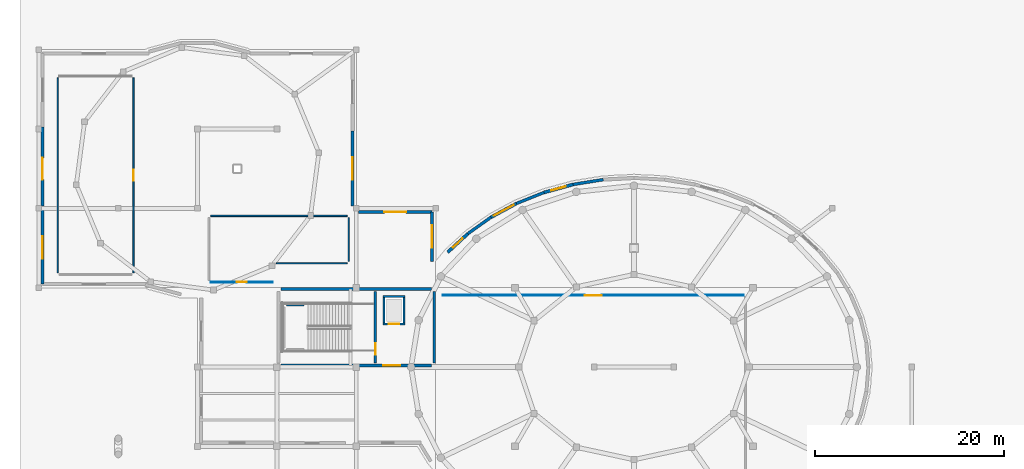
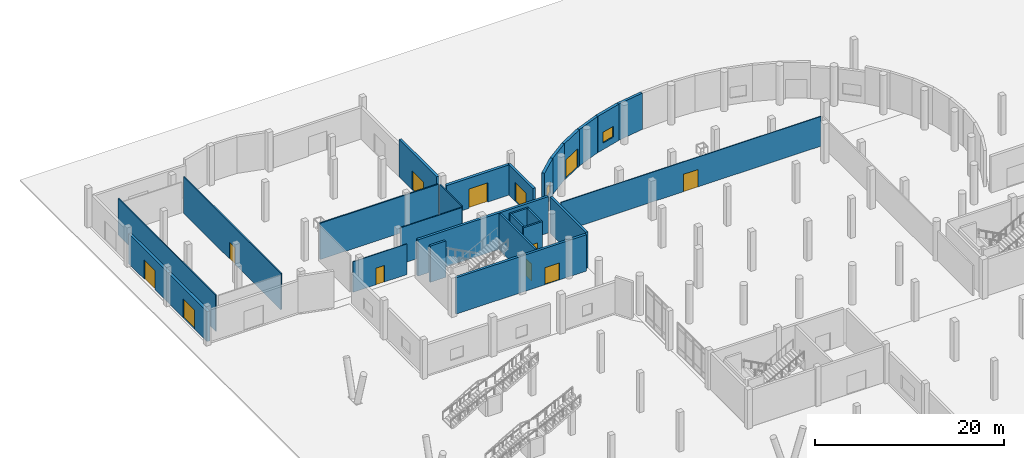
# One storey, part 48 of 64: 27 walls, 12 doors, 2 windows, 14 openings.
"""IFC4 building model written with IfcOpenShell, lengths in metres."""

from ifc_helpers import new_model, si_unit, derived_unit, direction, frame, frame_2d, origin, place, context, subcontext, project, spatial, rectangle, extrude, material, layer, layer_set, type_object, element, fill, save


model = new_model("IFC4")

# Units and contexts
model_context = context("Model", 3, precision=1e-05, world=origin(), true_north=direction((0.0, 1.0)))
body_context = subcontext(model_context, "Body", "Model", "MODEL_VIEW")
ifc_project = project(units=[si_unit("LENGTHUNIT", "METRE"), si_unit("AREAUNIT", "SQUARE_METRE"), si_unit("VOLUMEUNIT", "CUBIC_METRE"), si_unit("PLANEANGLEUNIT", "RADIAN"), si_unit("MASSUNIT", "GRAM", prefix="KILO"), derived_unit("THERMALTRANSMITTANCEUNIT", [(si_unit("POWERUNIT", "WATT"), 1), (si_unit("LENGTHUNIT", "METRE"), -2), (si_unit("THERMODYNAMICTEMPERATUREUNIT", "KELVIN"), -1)])], contexts=[model_context])

# Site, building, storey
site_placement = place(None, origin())
site = spatial("IfcSite", under=ifc_project, at=site_placement, CompositionType="ELEMENT")
building_placement = place(site_placement, origin())
building = spatial("IfcBuilding", under=site, at=building_placement, Name="Elbkamm Science Centre", CompositionType="ELEMENT")
storey_placement = place(building_placement, origin())
storey = spatial("IfcBuildingStorey", under=building, at=storey_placement, Name="L00", CompositionType="ELEMENT", Elevation=0.0)

# Wall
ifc_material_1 = material(Name="Reinforced concrete C40/50", Category="concrete")
ifc_layer_1 = layer(ifc_material_1, 0.25)
ifc_layer_set_1 = layer_set([ifc_layer_1], Name="Reinforced concrete C40/50")
wall_type_1 = type_object("IfcWallType", Name="WL-CORE-250", PredefinedType="SHEAR", material=ifc_layer_set_1)
wall_1_placement = place(storey_placement, frame((26.18994140625, 73.780029296875, 0.0), z_axis=(0.0, 0.0, 1.0), x_axis=(1.0, 0.0, 0.0)))
element("IfcWall", 1, at=wall_1_placement, inside=storey, type_object=wall_type_1, Name="L00 ST-C1 Shaft Bearing Wall N", PredefinedType="SHEAR", context=body_context, shape_type="SweptSolid", body=[
    extrude(rectangle(XDim=1.89013671875, YDim=0.25, at=frame_2d((0.945068359375, 0.0))), origin(), (0.0, 0.0, 1.0), 4.699951171875),
])

# Wall, opening, door
wall_2_placement = place(storey_placement, frame((35.6201171875, 67.6201171875, 0.0), z_axis=(0.0, 0.0, 1.0), x_axis=(0.0, 1.0, 0.0)))
wall_2 = element("IfcWall", 2, at=wall_2_placement, inside=storey, type_object=wall_type_1, Name="L00 C1 Stairwell Compartment Wall", PredefinedType="SHEAR", context=body_context, shape_type="SweptSolid", body=[
    extrude(rectangle(XDim=7.559814453125, YDim=0.25, at=frame_2d((3.77978515625, 0.0))), origin(), (0.0, 0.0, 1.0), 4.699951171875),
])
opening_1_placement = place(wall_2_placement, frame((0.89990234375, 0.0, 0.0)))
opening_1 = element("IfcOpeningElement", 3, at=opening_1_placement, cuts=wall_2, Name="Opening DC-02", PredefinedType="OPENING", context=body_context, shape_type="SweptSolid", body=[
    extrude(rectangle(XDim=1.199951171875, YDim=2.199951171875, at=frame_2d((0.60009765625, 1.10009765625))), frame((0.0, 0.136962890625, 0.0), z_axis=(0.0, -1.0, 0.0), x_axis=(1.0, 0.0, 0.0)), (0.0, 0.0, 1.0), 0.27392578125),
])
ifc_material_2 = material(Name="Fire-rated steel acoustic door", Category="steel")
ifc_layer_2 = layer(ifc_material_2, 0.050048828125)
ifc_layer_set_2 = layer_set([ifc_layer_2], Name="Fire-rated steel acoustic door")
door_type_1 = type_object("IfcDoorType", Name="DR-CORE-1200x2200", OperationType="NOTDEFINED", PredefinedType="DOOR", material=ifc_layer_set_2)
door_1_placement = place(opening_1_placement, origin())
door_1 = element("IfcDoor", 4, at=door_1_placement, inside=storey, type_object=door_type_1, Name="L00 ST-C1 Stairwell Fire Door", OperationType="SINGLE_SWING_RIGHT", OverallHeight=2.199951171875, OverallWidth=1.199951171875, PredefinedType="DOOR", context=body_context, shape_type="SweptSolid", body=[
    extrude(rectangle(XDim=1.199951171875, YDim=2.199951171875, at=frame_2d((0.60009765625, 1.10009765625))), frame((0.0, 0.02490234375, 0.0), z_axis=(0.0, -1.0, 0.0), x_axis=(1.0, 0.0, 0.0)), (0.0, 0.0, 1.0), 0.050048828125),
])
fill(opening_1, door_1)

ifc_layer_3 = layer(ifc_material_1, 0.300048828125)
ifc_layer_set_3 = layer_set([ifc_layer_3], Name="Reinforced concrete C40/50")
wall_type_2 = type_object("IfcWallType", Name="WL-CORE-300", PredefinedType="SHEAR", material=ifc_layer_set_3)
wall_3_placement = place(storey_placement, frame((25.6201171875, 67.35009765625, 0.0), z_axis=(0.0, 0.0, 1.0), x_axis=(1.0, 0.0, 0.0)))
wall_3 = element("IfcWall", 5, at=wall_3_placement, inside=storey, type_object=wall_type_2, Name="L00 Core C1 Northwest Planetarium and Exhibition Core Shear Wall S", PredefinedType="SHEAR", context=body_context, shape_type="SweptSolid", body=[
    extrude(rectangle(XDim=15.9599609375, YDim=0.300048828125, at=frame_2d((7.97998046875, 0.0))), origin(), (0.0, 0.0, 1.0), 4.699951171875),
])
opening_2_placement = place(wall_3_placement, frame((10.860107421875, 0.0, 0.0)))
opening_2 = element("IfcOpeningElement", 6, at=opening_2_placement, cuts=wall_3, Name="Opening DC-01", PredefinedType="OPENING", context=body_context, shape_type="SweptSolid", body=[
    extrude(rectangle(XDim=1.800048828125, YDim=2.199951171875, at=frame_2d((0.89990234375, 1.10009765625))), frame((0.0, 0.162109375, 0.0), z_axis=(0.0, -1.0, 0.0), x_axis=(1.0, 0.0, 0.0)), (0.0, 0.0, 1.0), 0.323974609375),
])
ifc_layer_4 = layer(ifc_material_2, 0.050048828125)
ifc_layer_set_4 = layer_set([ifc_layer_4], Name="Fire-rated steel acoustic door")
door_type_2 = type_object("IfcDoorType", Name="DR-CORE-1800x2200", OperationType="DOUBLE_DOOR_SINGLE_SWING", PredefinedType="DOOR", material=ifc_layer_set_4)
door_2_placement = place(opening_2_placement, origin())
door_2 = element("IfcDoor", 7, at=door_2_placement, inside=storey, type_object=door_type_2, Name="L00 C1 Core Lobby Fire Door", OperationType="DOUBLE_DOOR_SINGLE_SWING", OverallHeight=2.199951171875, OverallWidth=1.800048828125, PredefinedType="DOOR", context=body_context, shape_type="SweptSolid", body=[
    extrude(rectangle(XDim=1.800048828125, YDim=2.199951171875, at=frame_2d((0.89990234375, 1.10009765625))), frame((0.0, 0.02490234375, 0.0), z_axis=(0.0, -1.0, 0.0), x_axis=(1.0, 0.0, 0.0)), (0.0, 0.0, 1.0), 0.050048828125),
])
fill(opening_2, door_2)

# Walls
wall_4_placement = place(storey_placement, frame((25.6201171875, 75.449951171875, 0.0), z_axis=(0.0, 0.0, 1.0), x_axis=(1.0, 0.0, 0.0)))
element("IfcWall", 8, at=wall_4_placement, inside=storey, type_object=wall_type_2, Name="L00 Core C1 Northwest Planetarium and Exhibition Core Shear Wall N", PredefinedType="SHEAR", context=body_context, shape_type="SweptSolid", body=[
    extrude(rectangle(XDim=15.9599609375, YDim=0.300048828125, at=frame_2d((7.97998046875, 0.0))), origin(), (0.0, 0.0, 1.0), 4.699951171875),
])
wall_5_placement = place(storey_placement, frame((41.85009765625, 67.6201171875, 0.0), z_axis=(0.0, 0.0, 1.0), x_axis=(0.0, 1.0, 0.0)))
element("IfcWall", 9, at=wall_5_placement, inside=storey, type_object=wall_type_2, Name="L00 Core C1 Northwest Planetarium and Exhibition Core Shear Wall E", PredefinedType="SHEAR", context=body_context, shape_type="SweptSolid", body=[
    extrude(rectangle(XDim=7.559814453125, YDim=0.300048828125, at=frame_2d((3.77978515625, 0.0))), origin(), (0.0, 0.0, 1.0), 4.699951171875),
])

# Wall, opening, door
ifc_material_3 = material(Name="White precast concrete C40/50", Category="concrete")
ifc_layer_5 = layer(ifc_material_3, 0.31005859375)
ifc_layer_set_5 = layer_set([ifc_layer_5], Name="White precast concrete C40/50")
wall_type_3 = type_object("IfcWallType", Name="WL-EXT-310", PredefinedType="SOLIDWALL", material=ifc_layer_set_5)
wall_6_placement = place(storey_placement, frame((0.3798828125, 84.239013671875, 0.0), z_axis=(0.0, 0.0, 1.0), x_axis=(0.0, 1.0, 0.0)))
wall_6 = element("IfcWall", 10, at=wall_6_placement, inside=storey, type_object=wall_type_3, Name="L00 Exterior Wall 0099", PredefinedType="SOLIDWALL", context=body_context, shape_type="SweptSolid", body=[
    extrude(rectangle(XDim=8.385009765625, YDim=0.31005859375, at=frame_2d((4.1923828125, 0.0))), origin(), (0.0, 0.0, 1.0), 3.89990234375),
])
opening_3_placement = place(wall_6_placement, frame((2.810791015625, 0.0, 0.0)))
opening_3 = element("IfcOpeningElement", 11, at=opening_3_placement, cuts=wall_6, Name="Opening EX-03", PredefinedType="OPENING", context=body_context, shape_type="SweptSolid", body=[
    extrude(rectangle(XDim=2.300048828125, YDim=2.5, at=frame_2d((1.14990234375, 1.25))), frame((0.0, 0.1669921875, 0.0), z_axis=(0.0, -1.0, 0.0), x_axis=(1.0, 0.0, 0.0)), (0.0, 0.0, 1.0), 0.333984375),
])
ifc_material_4 = material(Name="Powder-coated aluminium and laminated glass", Category="aluminium")
ifc_layer_6 = layer(ifc_material_4, 0.050048828125)
ifc_layer_set_6 = layer_set([ifc_layer_6], Name="Powder-coated aluminium and laminated glass")
door_type_3 = type_object("IfcDoorType", Name="DR-EXIT-2300x2500", OperationType="DOUBLE_DOOR_SINGLE_SWING", PredefinedType="DOOR", material=ifc_layer_set_6)
door_3_placement = place(opening_3_placement, origin())
door_3 = element("IfcDoor", 12, at=door_3_placement, inside=storey, type_object=door_type_3, Name="Final Exit Pedestrian Door EX-03", OperationType="DOUBLE_DOOR_SINGLE_SWING", OverallHeight=2.5, OverallWidth=2.300048828125, PredefinedType="DOOR", context=body_context, shape_type="SweptSolid", body=[
    extrude(rectangle(XDim=2.300048828125, YDim=2.5, at=frame_2d((1.14990234375, 1.25))), frame((0.0, 0.02490234375, 0.0), z_axis=(0.0, -1.0, 0.0), x_axis=(1.0, 0.0, 0.0)), (0.0, 0.0, 1.0), 0.050048828125),
])
fill(opening_3, door_3)

wall_7_placement = place(storey_placement, frame((33.219970703125, 92.2099609375, 0.0), z_axis=(0.0, 0.0, 1.0), x_axis=(0.0, -1.0, 0.0)))
wall_7 = element("IfcWall", 13, at=wall_7_placement, inside=storey, type_object=wall_type_3, Name="L00 Exterior Wall 0107", PredefinedType="SOLIDWALL", context=body_context, shape_type="SweptSolid", body=[
    extrude(rectangle(XDim=7.970947265625, YDim=0.31005859375, at=frame_2d((3.9853515625, 0.0))), origin(), (0.0, 0.0, 1.0), 4.830078125),
])
opening_4_placement = place(wall_7_placement, frame((2.785400390625, 0.0, 0.0)))
opening_4 = element("IfcOpeningElement", 14, at=opening_4_placement, cuts=wall_7, Name="Opening EX-08", PredefinedType="OPENING", context=body_context, shape_type="SweptSolid", body=[
    extrude(rectangle(XDim=2.39990234375, YDim=2.449951171875, at=frame_2d((1.199951171875, 1.22509765625))), frame((0.0, 0.1669921875, 0.0), z_axis=(0.0, -1.0, 0.0), x_axis=(1.0, 0.0, 0.0)), (0.0, 0.0, 1.0), 0.333984375),
])
ifc_layer_7 = layer(ifc_material_4, 0.050048828125)
ifc_layer_set_7 = layer_set([ifc_layer_7], Name="Powder-coated aluminium and laminated glass")
door_type_4 = type_object("IfcDoorType", Name="DR-EXIT-2400x2450", OperationType="DOUBLE_DOOR_SINGLE_SWING", PredefinedType="DOOR", material=ifc_layer_set_7)
door_4_placement = place(opening_4_placement, origin())
door_4 = element("IfcDoor", 15, at=door_4_placement, inside=storey, type_object=door_type_4, Name="Final Exit Pedestrian Door EX-08", OperationType="DOUBLE_DOOR_SINGLE_SWING", OverallHeight=2.449951171875, OverallWidth=2.39990234375, PredefinedType="DOOR", context=body_context, shape_type="SweptSolid", body=[
    extrude(rectangle(XDim=2.39990234375, YDim=2.449951171875, at=frame_2d((1.199951171875, 1.22509765625))), frame((0.0, 0.02490234375, 0.0), z_axis=(0.0, -1.0, 0.0), x_axis=(1.0, 0.0, 0.0)), (0.0, 0.0, 1.0), 0.050048828125),
])
fill(opening_4, door_4)

wall_8_placement = place(storey_placement, frame((41.6201171875, 83.6201171875, 0.0), z_axis=(0.0, 0.0, 1.0), x_axis=(0.0, -1.0, 0.0)))
wall_8 = element("IfcWall", 16, at=wall_8_placement, inside=storey, type_object=wall_type_3, Name="L00 Exterior Wall 0109", PredefinedType="SOLIDWALL", context=body_context, shape_type="SweptSolid", body=[
    extrude(rectangle(XDim=5.221923828125, YDim=0.31005859375, at=frame_2d((2.61083984375, 0.0))), origin(), (0.0, 0.0, 1.0), 3.89990234375),
])
opening_5_placement = place(wall_8_placement, frame((1.410888671875, 0.0, 0.0)))
opening_5 = element("IfcOpeningElement", 17, at=opening_5_placement, cuts=wall_8, Name="Opening EX-10", PredefinedType="OPENING", context=body_context, shape_type="SweptSolid", body=[
    extrude(rectangle(XDim=2.39990234375, YDim=2.449951171875, at=frame_2d((1.199951171875, 1.22509765625))), frame((0.0, 0.1669921875, 0.0), z_axis=(0.0, -1.0, 0.0), x_axis=(1.0, 0.0, 0.0)), (0.0, 0.0, 1.0), 0.333984375),
])
door_5_placement = place(opening_5_placement, origin())
door_5 = element("IfcDoor", 18, at=door_5_placement, inside=storey, type_object=door_type_4, Name="Final Exit Pedestrian Door EX-10", OperationType="DOUBLE_DOOR_SINGLE_SWING", OverallHeight=2.449951171875, OverallWidth=2.39990234375, PredefinedType="DOOR", context=body_context, shape_type="SweptSolid", body=[
    extrude(rectangle(XDim=2.39990234375, YDim=2.449951171875, at=frame_2d((1.199951171875, 1.22509765625))), frame((0.0, 0.02490234375, 0.0), z_axis=(0.0, -1.0, 0.0), x_axis=(1.0, 0.0, 0.0)), (0.0, 0.0, 1.0), 0.050048828125),
])
fill(opening_5, door_5)

# Walls
wall_9_placement = place(storey_placement, frame((45.420654296875, 81.329345703125, 0.0), z_axis=(0.0, 0.0, 1.0), x_axis=(0.815422656684, 0.578866038879, 0.0)))
element("IfcWall", 19, at=wall_9_placement, inside=storey, type_object=wall_type_3, Name="L00 Exterior Wall 0111", PredefinedType="SOLIDWALL", context=body_context, shape_type="SweptSolid", body=[
    extrude(rectangle(XDim=2.991943359375, YDim=0.31005859375, at=frame_2d((1.49609375, 0.0))), origin(), (0.0, 0.0, 1.0), 4.699951171875),
])
wall_10_placement = place(storey_placement, frame((50.561279296875, 84.522216796875, 0.0), z_axis=(0.0, 0.0, 1.0), x_axis=(0.928744558403, 0.370720305941, 0.0)))
element("IfcWall", 20, at=wall_10_placement, inside=storey, type_object=wall_type_3, Name="L00 Exterior Wall 0113", PredefinedType="SOLIDWALL", context=body_context, shape_type="SweptSolid", body=[
    extrude(rectangle(XDim=3.139892578125, YDim=0.31005859375, at=frame_2d((1.56982421875, 0.0))), origin(), (0.0, 0.0, 1.0), 4.699951171875),
])
wall_11_placement = place(storey_placement, frame((56.55859375, 86.532958984375, 0.0), z_axis=(0.0, 0.0, 1.0), x_axis=(0.987278994565, 0.158997443034, 0.0)))
element("IfcWall", 21, at=wall_11_placement, inside=storey, type_object=wall_type_3, Name="L00 Exterior Wall 0115", PredefinedType="SOLIDWALL", context=body_context, shape_type="SweptSolid", body=[
    extrude(rectangle(XDim=3.233642578125, YDim=0.31005859375, at=frame_2d((1.61669921875, 0.0))), origin(), (0.0, 0.0, 1.0), 4.699951171875),
])

# Wall, opening, door
ifc_layer_8 = layer(ifc_material_3, 0.340087890625)
ifc_layer_set_8 = layer_set([ifc_layer_8], Name="White precast concrete C40/50")
wall_type_4 = type_object("IfcWallType", Name="WL-EXT-340", PredefinedType="SOLIDWALL", material=ifc_layer_set_8)
wall_12_placement = place(storey_placement, frame((0.3798828125, 75.97998046875, 0.0), z_axis=(0.0, 0.0, 1.0), x_axis=(0.0, 1.0, 0.0)))
wall_12 = element("IfcWall", 22, at=wall_12_placement, inside=storey, type_object=wall_type_4, Name="L00 Exterior Wall 0098", PredefinedType="SOLIDWALL", context=body_context, shape_type="SweptSolid", body=[
    extrude(rectangle(XDim=8.244140625, YDim=0.340087890625, at=frame_2d((4.1220703125, 0.0))), origin(), (0.0, 0.0, 1.0), 3.89990234375),
])
opening_6_placement = place(wall_12_placement, frame((2.6904296875, 0.0, 0.0)))
opening_6 = element("IfcOpeningElement", 23, at=opening_6_placement, cuts=wall_12, Name="Opening EX-02", PredefinedType="OPENING", context=body_context, shape_type="SweptSolid", body=[
    extrude(rectangle(XDim=2.39990234375, YDim=2.449951171875, at=frame_2d((1.199951171875, 1.22509765625))), frame((0.0, 0.18212890625, 0.0), z_axis=(0.0, -1.0, 0.0), x_axis=(1.0, 0.0, 0.0)), (0.0, 0.0, 1.0), 0.364013671875),
])
door_6_placement = place(opening_6_placement, origin())
door_6 = element("IfcDoor", 24, at=door_6_placement, inside=storey, type_object=door_type_4, Name="Final Exit Pedestrian Door EX-02", OperationType="DOUBLE_DOOR_SINGLE_SWING", OverallHeight=2.449951171875, OverallWidth=2.39990234375, PredefinedType="DOOR", context=body_context, shape_type="SweptSolid", body=[
    extrude(rectangle(XDim=2.39990234375, YDim=2.449951171875, at=frame_2d((1.199951171875, 1.22509765625))), frame((0.0, 0.02490234375, 0.0), z_axis=(0.0, -1.0, 0.0), x_axis=(1.0, 0.0, 0.0)), (0.0, 0.0, 1.0), 0.050048828125),
])
fill(opening_6, door_6)

wall_13_placement = place(storey_placement, frame((33.839111328125, 83.6201171875, 0.0), z_axis=(0.0, 0.0, 1.0), x_axis=(1.0, 0.0, 0.0)))
wall_13 = element("IfcWall", 25, at=wall_13_placement, inside=storey, type_object=wall_type_4, Name="L00 Exterior Wall 0108", PredefinedType="SOLIDWALL", context=body_context, shape_type="SweptSolid", body=[
    extrude(rectangle(XDim=7.781005859375, YDim=0.340087890625, at=frame_2d((3.890625, 0.0))), origin(), (0.0, 0.0, 1.0), 3.89990234375),
])
opening_7_placement = place(wall_13_placement, frame((2.740478515625, 0.0, 0.0)))
opening_7 = element("IfcOpeningElement", 26, at=opening_7_placement, cuts=wall_13, Name="Opening EX-09", PredefinedType="OPENING", context=body_context, shape_type="SweptSolid", body=[
    extrude(rectangle(XDim=2.300048828125, YDim=2.5, at=frame_2d((1.14990234375, 1.25))), frame((0.0, 0.18212890625, 0.0), z_axis=(0.0, -1.0, 0.0), x_axis=(1.0, 0.0, 0.0)), (0.0, 0.0, 1.0), 0.364013671875),
])
door_7_placement = place(opening_7_placement, origin())
door_7 = element("IfcDoor", 27, at=door_7_placement, inside=storey, type_object=door_type_3, Name="Final Exit Pedestrian Door EX-09", OperationType="DOUBLE_DOOR_SINGLE_SWING", OverallHeight=2.5, OverallWidth=2.300048828125, PredefinedType="DOOR", context=body_context, shape_type="SweptSolid", body=[
    extrude(rectangle(XDim=2.300048828125, YDim=2.5, at=frame_2d((1.14990234375, 1.25))), frame((0.0, 0.02490234375, 0.0), z_axis=(0.0, -1.0, 0.0), x_axis=(1.0, 0.0, 0.0)), (0.0, 0.0, 1.0), 0.050048828125),
])
fill(opening_7, door_7)

# Wall, opening, window
wall_14_placement = place(storey_placement, frame((43.2841796875, 79.35693359375, 0.0), z_axis=(0.0, 0.0, 1.0), x_axis=(0.734755157667, 0.678332409872, 0.0)))
wall_14 = element("IfcWall", 28, at=wall_14_placement, inside=storey, type_object=wall_type_4, Name="L00 Exterior Wall 0110", PredefinedType="SOLIDWALL", context=body_context, shape_type="SweptSolid", body=[
    extrude(rectangle(XDim=2.90771484375, YDim=0.340087890625, at=frame_2d((1.453857421875, 0.0))), origin(), (0.0, 0.0, 1.0), 4.699951171875),
])
opening_8_placement = place(wall_14_placement, frame((0.75390625, 0.0, 0.85009765625)))
opening_8 = element("IfcOpeningElement", 29, at=opening_8_placement, cuts=wall_14, Name="Opening W-02", PredefinedType="OPENING", context=body_context, shape_type="SweptSolid", body=[
    extrude(rectangle(XDim=1.39990234375, YDim=1.39990234375, at=frame_2d((0.699951171875, 0.699951171875))), frame((0.0, 0.18212890625, 0.0), z_axis=(0.0, -1.0, 0.0), x_axis=(1.0, 0.0, 0.0)), (0.0, 0.0, 1.0), 0.364013671875),
])
ifc_material_5 = material(Name="Thermally broken aluminium and triple solar glass", Category="aluminium")
ifc_layer_9 = layer(ifc_material_5, 0.06005859375)
ifc_layer_set_9 = layer_set([ifc_layer_9], Name="Thermally broken aluminium and triple solar glass")
window_type_1 = type_object("IfcWindowType", Name="WIN-1400x1400", PartitioningType="SINGLE_PANEL", PredefinedType="WINDOW", material=ifc_layer_set_9)
window_1_placement = place(opening_8_placement, origin())
window_1 = element("IfcWindow", 30, at=window_1_placement, inside=storey, type_object=window_type_1, Name="L00 Facade Window 0001", OverallHeight=1.39990234375, OverallWidth=1.39990234375, PartitioningType="SINGLE_PANEL", PredefinedType="WINDOW", context=body_context, shape_type="SweptSolid", body=[
    extrude(rectangle(XDim=1.39990234375, YDim=1.39990234375, at=frame_2d((0.699951171875, 0.699951171875))), frame((0.0, 0.030029296875, 0.0), z_axis=(0.0, -1.0, 0.0), x_axis=(1.0, 0.0, 0.0)), (0.0, 0.0, 1.0), 0.06005859375),
])
fill(opening_8, window_1)

# Wall, opening, door
wall_15_placement = place(storey_placement, frame((47.8603515625, 83.061279296875, 0.0), z_axis=(0.0, 0.0, 1.0), x_axis=(0.879573445019, 0.475763128897, 0.0)))
wall_15 = element("IfcWall", 31, at=wall_15_placement, inside=storey, type_object=wall_type_4, Name="L00 Exterior Wall 0112", PredefinedType="SOLIDWALL", context=body_context, shape_type="SweptSolid", body=[
    extrude(rectangle(XDim=3.07080078125, YDim=0.340087890625, at=frame_2d((1.535400390625, 0.0))), origin(), (0.0, 0.0, 1.0), 4.699951171875),
])
opening_9_placement = place(wall_15_placement, frame((0.33544921875, 0.0, 0.0)))
opening_9 = element("IfcOpeningElement", 32, at=opening_9_placement, cuts=wall_15, Name="Opening EX-11", PredefinedType="OPENING", context=body_context, shape_type="SweptSolid", body=[
    extrude(rectangle(XDim=2.39990234375, YDim=2.449951171875, at=frame_2d((1.199951171875, 1.22509765625))), frame((0.0, 0.18212890625, 0.0), z_axis=(0.0, -1.0, 0.0), x_axis=(1.0, 0.0, 0.0)), (0.0, 0.0, 1.0), 0.364013671875),
])
door_8_placement = place(opening_9_placement, origin())
door_8 = element("IfcDoor", 33, at=door_8_placement, inside=storey, type_object=door_type_4, Name="Final Exit Pedestrian Door EX-11", OperationType="DOUBLE_DOOR_SINGLE_SWING", OverallHeight=2.449951171875, OverallWidth=2.39990234375, PredefinedType="DOOR", context=body_context, shape_type="SweptSolid", body=[
    extrude(rectangle(XDim=2.39990234375, YDim=2.449951171875, at=frame_2d((1.199951171875, 1.22509765625))), frame((0.0, 0.02490234375, 0.0), z_axis=(0.0, -1.0, 0.0), x_axis=(1.0, 0.0, 0.0)), (0.0, 0.0, 1.0), 0.050048828125),
])
fill(opening_9, door_8)

# Wall, opening, window
wall_16_placement = place(storey_placement, frame((53.4775390625, 85.686279296875, 0.0), z_axis=(0.0, 0.0, 1.0), x_axis=(0.964254212891, 0.264978891466, 0.0)))
wall_16 = element("IfcWall", 34, at=wall_16_placement, inside=storey, type_object=wall_type_4, Name="L00 Exterior Wall 0114", PredefinedType="SOLIDWALL", context=body_context, shape_type="SweptSolid", body=[
    extrude(rectangle(XDim=3.1953125, YDim=0.340087890625, at=frame_2d((1.59765625, 0.0))), origin(), (0.0, 0.0, 1.0), 4.699951171875),
])
opening_10_placement = place(wall_16_placement, frame((0.797607421875, 0.0, 0.85009765625)))
opening_10 = element("IfcOpeningElement", 35, at=opening_10_placement, cuts=wall_16, Name="Opening W-03", PredefinedType="OPENING", context=body_context, shape_type="SweptSolid", body=[
    extrude(rectangle(XDim=1.60009765625, YDim=1.39990234375, at=frame_2d((0.800048828125, 0.699951171875))), frame((0.0, 0.18212890625, 0.0), z_axis=(0.0, -1.0, 0.0), x_axis=(1.0, 0.0, 0.0)), (0.0, 0.0, 1.0), 0.364013671875),
])
ifc_layer_10 = layer(ifc_material_5, 0.06005859375)
ifc_layer_set_10 = layer_set([ifc_layer_10], Name="Thermally broken aluminium and triple solar glass")
window_type_2 = type_object("IfcWindowType", Name="WIN-1600x1400", PartitioningType="SINGLE_PANEL", PredefinedType="WINDOW", material=ifc_layer_set_10)
window_2_placement = place(opening_10_placement, origin())
window_2 = element("IfcWindow", 36, at=window_2_placement, inside=storey, type_object=window_type_2, Name="L00 Facade Window 0002", OverallHeight=1.39990234375, OverallWidth=1.60009765625, PartitioningType="SINGLE_PANEL", PredefinedType="WINDOW", context=body_context, shape_type="SweptSolid", body=[
    extrude(rectangle(XDim=1.60009765625, YDim=1.39990234375, at=frame_2d((0.800048828125, 0.699951171875))), frame((0.0, 0.030029296875, 0.0), z_axis=(0.0, -1.0, 0.0), x_axis=(1.0, 0.0, 0.0)), (0.0, 0.0, 1.0), 0.06005859375),
])
fill(opening_10, window_2)

# Wall, opening, door
ifc_material_6 = material(Name="Drywall service partition", Category="gypsum")
ifc_layer_11 = layer(ifc_material_6, 0.10009765625)
ifc_layer_set_11 = layer_set([ifc_layer_11], Name="Drywall service partition")
wall_type_5 = type_object("IfcWallType", Name="WL-PART-100", PredefinedType="PARTITIONING", material=ifc_layer_set_11)
wall_17_placement = place(storey_placement, frame((42.780029296875, 74.800048828125, 0.0), z_axis=(0.0, 0.0, 1.0), x_axis=(1.0, 0.0, 0.0)))
wall_17 = element("IfcWall", 37, at=wall_17_placement, inside=storey, type_object=wall_type_5, Name="L00 Waterfront Entrance Foyer Partition 0023", PredefinedType="PARTITIONING", context=body_context, shape_type="SweptSolid", body=[
    extrude(rectangle(XDim=31.840087890625, YDim=0.10009765625, at=frame_2d((15.919921875, 0.0))), origin(), (0.0, 0.0, 1.0), 3.85009765625),
])
opening_11_placement = place(wall_17_placement, frame((15.02001953125, 0.0, 0.0)))
opening_11 = element("IfcOpeningElement", 38, at=opening_11_placement, cuts=wall_17, Name="Opening DI-01", PredefinedType="OPENING", context=body_context, shape_type="SweptSolid", body=[
    extrude(rectangle(XDim=1.800048828125, YDim=2.25, at=frame_2d((0.89990234375, 1.125))), frame((0.0, 0.06201171875, 0.0), z_axis=(0.0, -1.0, 0.0), x_axis=(1.0, 0.0, 0.0)), (0.0, 0.0, 1.0), 0.1240234375),
])
ifc_material_7 = material(Name="Acoustic oak veneer and safety glass door", Category="glass")
ifc_layer_12 = layer(ifc_material_7, 0.050048828125)
ifc_layer_set_12 = layer_set([ifc_layer_12], Name="Acoustic oak veneer and safety glass door")
door_type_5 = type_object("IfcDoorType", Name="DR-INT-1800x2250", OperationType="DOUBLE_DOOR_SINGLE_SWING", PredefinedType="DOOR", material=ifc_layer_set_12)
door_9_placement = place(opening_11_placement, origin())
door_9 = element("IfcDoor", 39, at=door_9_placement, inside=storey, type_object=door_type_5, Name="L00 Waterfront Entrance Foyer Door", OperationType="DOUBLE_DOOR_SINGLE_SWING", OverallHeight=2.25, OverallWidth=1.800048828125, PredefinedType="DOOR", context=body_context, shape_type="SweptSolid", body=[
    extrude(rectangle(XDim=1.800048828125, YDim=2.25, at=frame_2d((0.89990234375, 1.125))), frame((0.0, 0.02490234375, 0.0), z_axis=(0.0, -1.0, 0.0), x_axis=(1.0, 0.0, 0.0)), (0.0, 0.0, 1.0), 0.050048828125),
])
fill(opening_11, door_9)

wall_18_placement = place(storey_placement, frame((24.77001953125, 76.199951171875, 0.0), z_axis=(0.0, 0.0, 1.0), x_axis=(-1.0, 0.0, 0.0)))
wall_18 = element("IfcWall", 40, at=wall_18_placement, inside=storey, type_object=wall_type_5, Name="L00 Planetarium Pre-Show Foyer Partition 0039", PredefinedType="PARTITIONING", context=body_context, shape_type="SweptSolid", body=[
    extrude(rectangle(XDim=6.590087890625, YDim=0.10009765625, at=frame_2d((3.294921875, 0.0))), origin(), (0.0, 0.0, 1.0), 3.949951171875),
])
opening_12_placement = place(wall_18_placement, frame((2.77001953125, 0.0, 0.0)))
opening_12 = element("IfcOpeningElement", 41, at=opening_12_placement, cuts=wall_18, Name="Opening DI-07", PredefinedType="OPENING", context=body_context, shape_type="SweptSolid", body=[
    extrude(rectangle(XDim=1.050048828125, YDim=2.14990234375, at=frame_2d((0.52490234375, 1.074951171875))), frame((0.0, 0.06201171875, 0.0), z_axis=(0.0, -1.0, 0.0), x_axis=(1.0, 0.0, 0.0)), (0.0, 0.0, 1.0), 0.1240234375),
])
ifc_material_8 = material(Name="Acoustic oak veneer door")
ifc_layer_13 = layer(ifc_material_8, 0.050048828125)
ifc_layer_set_13 = layer_set([ifc_layer_13], Name="Acoustic oak veneer door")
door_type_6 = type_object("IfcDoorType", Name="DR-INT-1050x2150", OperationType="NOTDEFINED", PredefinedType="DOOR", material=ifc_layer_set_13)
door_10_placement = place(opening_12_placement, origin())
door_10 = element("IfcDoor", 42, at=door_10_placement, inside=storey, type_object=door_type_6, Name="L00 Planetarium Pre-Show Foyer Door", OperationType="SINGLE_SWING_LEFT", OverallHeight=2.14990234375, OverallWidth=1.050048828125, PredefinedType="DOOR", context=body_context, shape_type="SweptSolid", body=[
    extrude(rectangle(XDim=1.050048828125, YDim=2.14990234375, at=frame_2d((0.52490234375, 1.074951171875))), frame((0.0, 0.02490234375, 0.0), z_axis=(0.0, -1.0, 0.0), x_axis=(1.0, 0.0, 0.0)), (0.0, 0.0, 1.0), 0.050048828125),
])
fill(opening_12, door_10)

# Walls
ifc_material_9 = material(Name="Lightweight metal-stud gypsum partition", Category="gypsum")
ifc_layer_14 = layer(ifc_material_9, 0.125)
ifc_layer_set_14 = layer_set([ifc_layer_14], Name="Lightweight metal-stud gypsum partition")
wall_type_6 = type_object("IfcWallType", Name="WL-PART-125", PredefinedType="PARTITIONING", material=ifc_layer_set_14)
wall_19_placement = place(storey_placement, frame((32.6201171875, 78.199951171875, 0.0), z_axis=(0.0, 0.0, 1.0), x_axis=(-1.0, 0.0, 0.0)))
element("IfcWall", 43, at=wall_19_placement, inside=storey, type_object=wall_type_6, Name="L00 Planetarium Pre-Show Foyer Partition 0038", PredefinedType="PARTITIONING", context=body_context, shape_type="SweptSolid", body=[
    extrude(rectangle(XDim=7.490234375, YDim=0.125, at=frame_2d((3.7451171875, 0.0))), origin(), (0.0, 0.0, 1.0), 4.699951171875),
])
wall_20_placement = place(storey_placement, frame((2.0, 77.179931640625, 0.0), z_axis=(0.0, 0.0, 1.0), x_axis=(0.0, 1.0, 0.0)))
element("IfcWall", 44, at=wall_20_placement, inside=storey, type_object=wall_type_6, Name="L00 Visitor Ticketing and Cloakroom Hall Partition 0058", PredefinedType="PARTITIONING", context=body_context, shape_type="SweptSolid", body=[
    extrude(rectangle(XDim=20.64013671875, YDim=0.125, at=frame_2d((10.320068359375, 0.0))), origin(), (0.0, 0.0, 1.0), 4.699951171875),
])
ifc_material_10 = material(Name="Acoustic metal-stud gypsum partition", Category="gypsum")
ifc_layer_15 = layer(ifc_material_10, 0.139892578125)
ifc_layer_set_15 = layer_set([ifc_layer_15], Name="Acoustic metal-stud gypsum partition")
wall_type_7 = type_object("IfcWallType", Name="WL-PART-140", PredefinedType="PARTITIONING", material=ifc_layer_set_15)
wall_21_placement = place(storey_placement, frame((32.800048828125, 83.02001953125, 0.0), z_axis=(0.0, 0.0, 1.0), x_axis=(0.0, -1.0, 0.0)))
element("IfcWall", 45, at=wall_21_placement, inside=storey, type_object=wall_type_7, Name="L00 Planetarium Pre-Show Foyer Partition 0037", PredefinedType="PARTITIONING", context=body_context, shape_type="SweptSolid", body=[
    extrude(rectangle(XDim=4.64013671875, YDim=0.139892578125, at=frame_2d((2.320068359375, 0.0))), origin(), (0.0, 0.0, 1.0), 4.699951171875),
])
ifc_layer_16 = layer(ifc_material_10, 0.159912109375)
ifc_layer_set_16 = layer_set([ifc_layer_16], Name="Acoustic metal-stud gypsum partition")
wall_type_8 = type_object("IfcWallType", Name="WL-PART-160", PredefinedType="PARTITIONING", material=ifc_layer_set_16)
wall_22_placement = place(storey_placement, frame((18.179931640625, 83.199951171875, 0.0), z_axis=(0.0, 0.0, 1.0), x_axis=(1.0, 0.0, 0.0)))
element("IfcWall", 46, at=wall_22_placement, inside=storey, type_object=wall_type_8, Name="L00 Planetarium Pre-Show Foyer Partition 0036", PredefinedType="PARTITIONING", context=body_context, shape_type="SweptSolid", body=[
    extrude(rectangle(XDim=14.440185546875, YDim=0.159912109375, at=frame_2d((7.22021484375, 0.0))), origin(), (0.0, 0.0, 1.0), 4.699951171875),
])

# Wall, opening, door
wall_23_placement = place(storey_placement, frame((10.0, 97.820068359375, 0.0), z_axis=(0.0, 0.0, 1.0), x_axis=(0.0, -1.0, 0.0)))
wall_23 = element("IfcWall", 47, at=wall_23_placement, inside=storey, type_object=wall_type_8, Name="L00 Visitor Ticketing and Cloakroom Hall Partition 0056", PredefinedType="PARTITIONING", context=body_context, shape_type="SweptSolid", body=[
    extrude(rectangle(XDim=20.64013671875, YDim=0.159912109375, at=frame_2d((10.320068359375, 0.0))), origin(), (0.0, 0.0, 1.0), 4.699951171875),
])
opening_13_placement = place(wall_23_placement, frame((9.7451171875, 0.0, 0.0)))
opening_13 = element("IfcOpeningElement", 48, at=opening_13_placement, cuts=wall_23, Name="Opening DI-05", PredefinedType="OPENING", context=body_context, shape_type="SweptSolid", body=[
    extrude(rectangle(XDim=1.14990234375, YDim=2.14990234375, at=frame_2d((0.574951171875, 1.074951171875))), frame((0.0, 0.091796875, 0.0), z_axis=(0.0, -1.0, 0.0), x_axis=(1.0, 0.0, 0.0)), (0.0, 0.0, 1.0), 0.183837890625),
])
ifc_layer_17 = layer(ifc_material_8, 0.050048828125)
ifc_layer_set_17 = layer_set([ifc_layer_17], Name="Acoustic oak veneer door")
door_type_7 = type_object("IfcDoorType", Name="DR-INT-1150x2150", OperationType="NOTDEFINED", PredefinedType="DOOR", material=ifc_layer_set_17)
door_11_placement = place(opening_13_placement, origin())
door_11 = element("IfcDoor", 49, at=door_11_placement, inside=storey, type_object=door_type_7, Name="L00 Visitor Ticketing and Cloakroom Hall Door", OperationType="SINGLE_SWING_LEFT", OverallHeight=2.14990234375, OverallWidth=1.14990234375, PredefinedType="DOOR", context=body_context, shape_type="SweptSolid", body=[
    extrude(rectangle(XDim=1.14990234375, YDim=2.14990234375, at=frame_2d((0.574951171875, 1.074951171875))), frame((0.0, 0.02490234375, 0.0), z_axis=(0.0, -1.0, 0.0), x_axis=(1.0, 0.0, 0.0)), (0.0, 0.0, 1.0), 0.050048828125),
])
fill(opening_13, door_11)

# Walls
ifc_layer_18 = layer(ifc_material_1, 0.219970703125)
ifc_layer_set_18 = layer_set([ifc_layer_18], Name="Reinforced concrete C40/50")
wall_type_9 = type_object("IfcWallType", Name="WL-SHAFT-220", PredefinedType="SOLIDWALL", material=ifc_layer_set_18)
for number, where, z_axis, x_axis, name in (
    (50, (36.5400390625, 71.85009765625, 0.0), (0.0, 0.0, 1.0), (0.0, 1.0, 0.0), "L00 Lift FF1 Shaft West Wall"),
    (51, (38.659912109375, 71.85009765625, 0.0), (0.0, 0.0, 1.0), (0.0, 1.0, 0.0), "L00 Lift FF1 Shaft East Wall"),
):
    element("IfcWall", number, at=place(storey_placement, frame(where, z_axis=z_axis, x_axis=x_axis)), inside=storey, type_object=wall_type_9, Name=name, PredefinedType="SOLIDWALL", context=body_context, shape_type="SweptSolid", body=[
        extrude(rectangle(XDim=2.699951171875, YDim=0.219970703125, at=frame_2d((1.35009765625, 0.0))), origin(), (0.0, 0.0, 1.0), 4.699951171875),
    ])
wall_24_placement = place(storey_placement, frame((36.429931640625, 74.659912109375, 0.0), z_axis=(0.0, 0.0, 1.0), x_axis=(1.0, 0.0, 0.0)))
element("IfcWall", 52, at=wall_24_placement, inside=storey, type_object=wall_type_9, Name="L00 Lift FF1 Shaft Back Wall", PredefinedType="SOLIDWALL", context=body_context, shape_type="SweptSolid", body=[
    extrude(rectangle(XDim=2.340087890625, YDim=0.219970703125, at=frame_2d((1.169921875, 0.0))), origin(), (0.0, 0.0, 1.0), 4.699951171875),
])

# Wall, opening, door
wall_25_placement = place(storey_placement, frame((36.429931640625, 71.739990234375, 0.0), z_axis=(0.0, 0.0, 1.0), x_axis=(1.0, 0.0, 0.0)))
wall_25 = element("IfcWall", 53, at=wall_25_placement, inside=storey, type_object=wall_type_9, Name="L00 Lift FF1 Shaft Front Wall", PredefinedType="SOLIDWALL", context=body_context, shape_type="SweptSolid", body=[
    extrude(rectangle(XDim=2.340087890625, YDim=0.219970703125, at=frame_2d((1.169921875, 0.0))), origin(), (0.0, 0.0, 1.0), 4.699951171875),
])
opening_14_placement = place(wall_25_placement, frame((0.6201171875, 0.0, 0.0)))
opening_14 = element("IfcOpeningElement", 54, at=opening_14_placement, cuts=wall_25, Name="Opening LD-01", PredefinedType="OPENING", context=body_context, shape_type="SweptSolid", body=[
    extrude(rectangle(XDim=1.10009765625, YDim=2.14990234375, at=frame_2d((0.550048828125, 1.074951171875))), frame((0.0, 0.1220703125, 0.0), z_axis=(0.0, -1.0, 0.0), x_axis=(1.0, 0.0, 0.0)), (0.0, 0.0, 1.0), 0.243896484375),
])
ifc_material_11 = material(Name="Stainless steel lift landing door", Category="steel")
ifc_layer_19 = layer(ifc_material_11, 0.050048828125)
ifc_layer_set_19 = layer_set([ifc_layer_19], Name="Stainless steel lift landing door")
door_type_8 = type_object("IfcDoorType", Name="DR-LIFT-1100x2150", OperationType="DOUBLE_DOOR_SLIDING", PredefinedType="DOOR", material=ifc_layer_set_19)
door_12_placement = place(opening_14_placement, origin())
door_12 = element("IfcDoor", 55, at=door_12_placement, inside=storey, type_object=door_type_8, Name="L00 Lift FF1 Sliding Landing Door", OperationType="DOUBLE_DOOR_SLIDING", OverallHeight=2.14990234375, OverallWidth=1.10009765625, PredefinedType="DOOR", context=body_context, shape_type="SweptSolid", body=[
    extrude(rectangle(XDim=1.10009765625, YDim=2.14990234375, at=frame_2d((0.550048828125, 1.074951171875))), frame((0.0, 0.02490234375, 0.0), z_axis=(0.0, -1.0, 0.0), x_axis=(1.0, 0.0, 0.0)), (0.0, 0.0, 1.0), 0.050048828125),
])
fill(opening_14, door_12)

save(model, "model.ifc")
